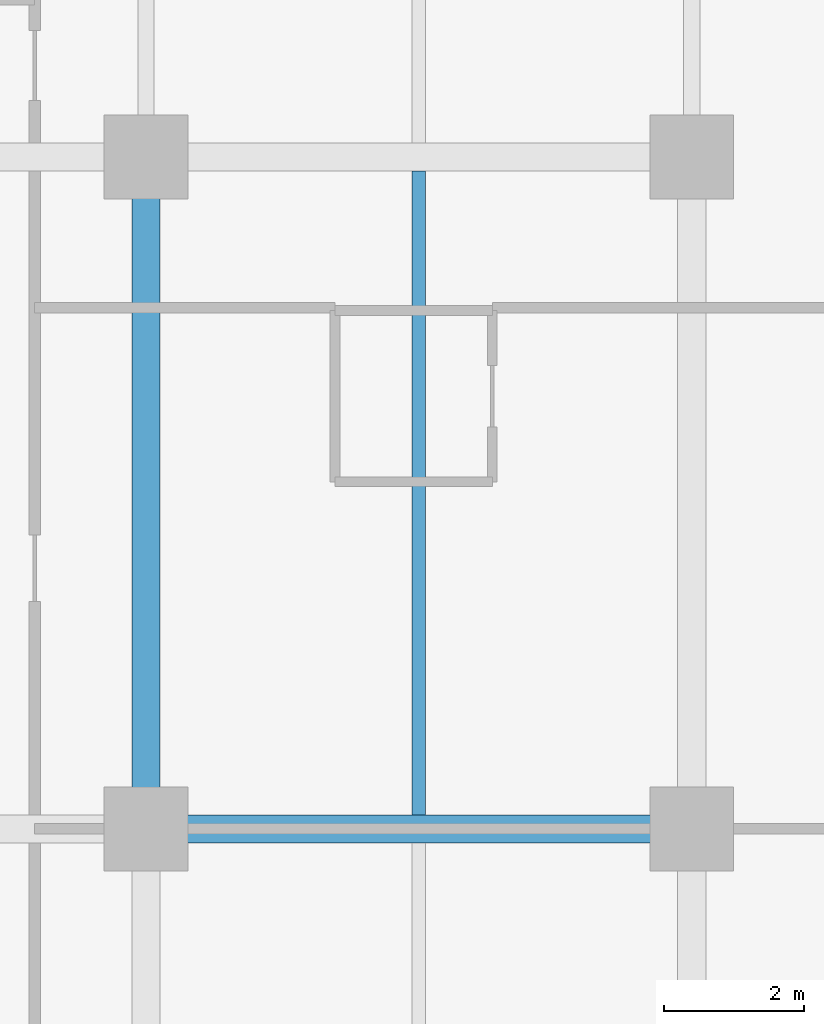
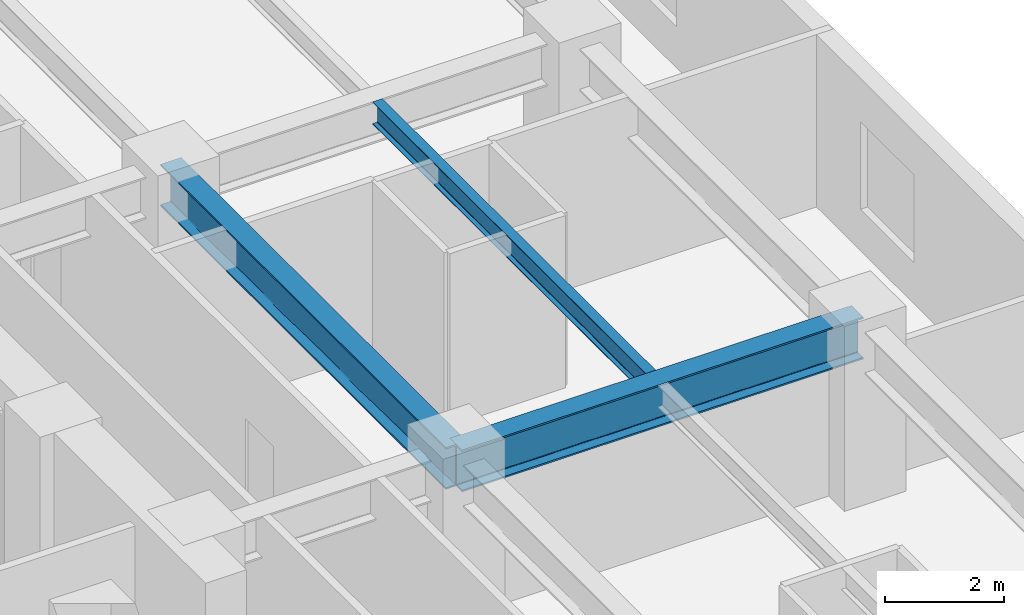
# One storey, part 2 of 12: 3 beams.
"""IFC4 building model written with IfcOpenShell, lengths in metres."""

from ifc_helpers import new_model, si_unit, direction, frame, origin, origin_2d, place, context, subcontext, project, spatial, i_section, extrude, material, material_profile, profile_set, type_object, element, save


model = new_model("IFC4")

# Units and contexts
model_context = context("Model", 3, precision=1e-05, world=origin(), true_north=direction((0.0, 1.0)))
body_context = subcontext(model_context, "Body", "Model", "MODEL_VIEW")
ifc_project = project(units=[si_unit("LENGTHUNIT", "METRE"), si_unit("AREAUNIT", "SQUARE_METRE"), si_unit("VOLUMEUNIT", "CUBIC_METRE"), si_unit("PLANEANGLEUNIT", "RADIAN"), si_unit("MASSUNIT", "GRAM", prefix="KILO")], contexts=[model_context])

# Site, building, storey
site_placement = place(None, origin())
site = spatial("IfcSite", under=ifc_project, at=site_placement, CompositionType="ELEMENT")
building_placement = place(site_placement, origin())
building = spatial("IfcBuilding", under=site, at=building_placement, Name="Kestravale Grand Hotel", CompositionType="ELEMENT")
storey_placement = place(building_placement, frame((0.0, 0.0, 122.199951171875)))
storey = spatial("IfcBuildingStorey", under=building, at=storey_placement, Name="L30", CompositionType="ELEMENT", Elevation=122.199951171875)

# Beams
ifc_material_1 = material(Name="Steel ASTM A992 Grade 50", Category="steel")
ifc_material_profile_1 = material_profile(ifc_material_1, i_section(OverallWidth=0.19091796875, OverallDepth=0.45703125, WebThickness=0.009033203125, FlangeThickness=0.014404296875, FilletRadius=0.015380859375, at=origin_2d()))
ifc_profile_set_1 = profile_set([ifc_material_profile_1], Name="Steel ASTM A992 Grade 50")
beam_type_1 = type_object("IfcBeamType", Name="B-FLR-JST18", PredefinedType="JOIST", material=ifc_profile_set_1)
beam_1_placement = place(storey_placement, frame((66.300048828125, 29.00048828125, 3.3115234375), z_axis=(0.0, 1.0, 0.0), x_axis=(-1.0, 0.0, 0.0)))
element("IfcBeam", 1, at=beam_1_placement, inside=storey, type_object=beam_type_1, Name="L30 floor joist 10-11/E-F #1", PredefinedType="JOIST", context=body_context, shape_type="SweptSolid", body=[
    extrude(i_section(OverallWidth=0.19091796875, OverallDepth=0.45703125, WebThickness=0.009033203125, FlangeThickness=0.014404296875, FilletRadius=0.015380859375, at=origin_2d()), origin(), (0.0, 0.0, 1.0), 9.198974609375),
])
ifc_material_2 = material(Name="Steel ASTM A992 Grade 50", Category="steel")
ifc_material_profile_2 = material_profile(ifc_material_2, i_section(OverallWidth=0.40087890625, OverallDepth=0.861083984375, WebThickness=0.019775390625, FlangeThickness=0.032470703125, FilletRadius=0.0234375, at=origin_2d()))
ifc_profile_set_2 = profile_set([ifc_material_profile_2], Name="Steel ASTM A992 Grade 50")
beam_type_2 = type_object("IfcBeamType", Name="B-GRD-W33", PredefinedType="BEAM", material=ifc_profile_set_2)
beam_2_placement = place(storey_placement, frame((62.39990234375, 28.800048828125, 3.109619140625), z_axis=(1.0, 0.0, 0.0), x_axis=(0.0, 1.0, 0.0)))
element("IfcBeam", 2, at=beam_2_placement, inside=storey, type_object=beam_type_2, Name="L30 girder E:10-11", PredefinedType="BEAM", context=body_context, shape_type="SweptSolid", body=[
    extrude(i_section(OverallWidth=0.40087890625, OverallDepth=0.861083984375, WebThickness=0.019775390625, FlangeThickness=0.032470703125, FilletRadius=0.0234375, at=origin_2d()), origin(), (0.0, 0.0, 1.0), 7.800048828125),
])
beam_3_placement = place(storey_placement, frame((62.39990234375, 28.800048828125, 3.109619140625), z_axis=(0.0, 1.0, 0.0), x_axis=(-1.0, 0.0, 0.0)))
element("IfcBeam", 3, at=beam_3_placement, inside=storey, type_object=beam_type_2, Name="L30 girder 10:E-F", PredefinedType="BEAM", context=body_context, shape_type="SweptSolid", body=[
    extrude(i_section(OverallWidth=0.40087890625, OverallDepth=0.861083984375, WebThickness=0.019775390625, FlangeThickness=0.032470703125, FilletRadius=0.0234375, at=origin_2d()), origin(), (0.0, 0.0, 1.0), 9.599853515625),
])

save(model, "model.ifc")
